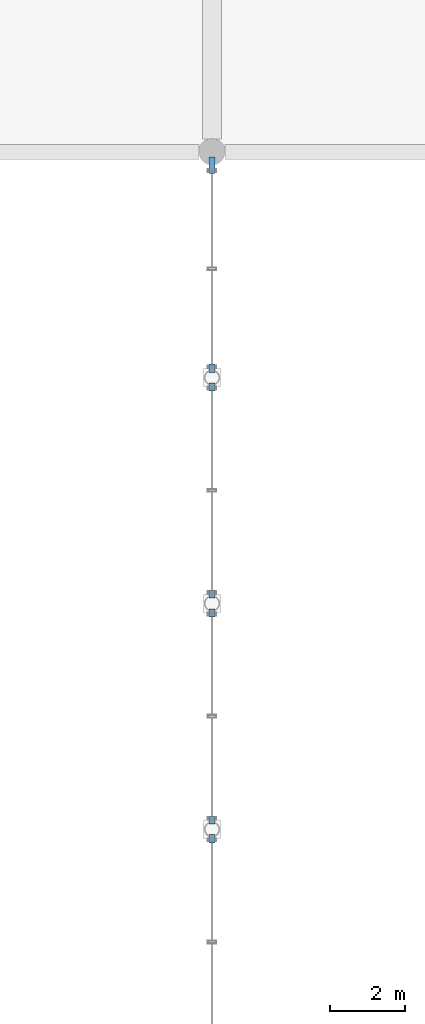
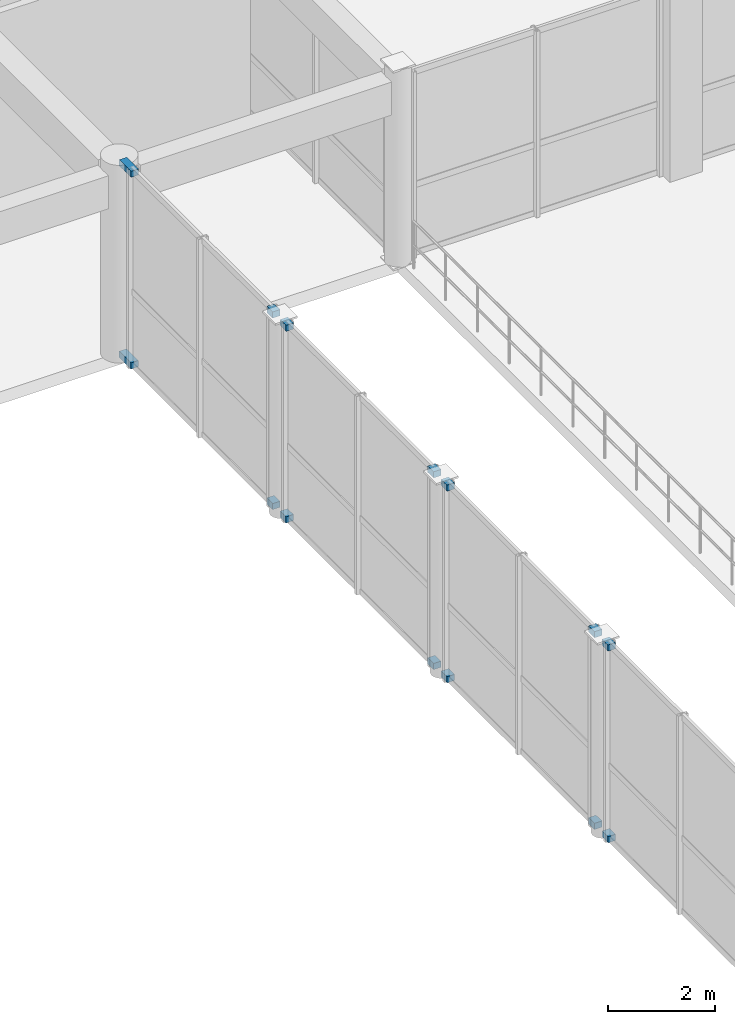
# One storey, part 104 of 116: 14 discrete accessories.
"""IFC4 building model written with IfcOpenShell, lengths in metres."""

import ifcopenshell
import ifcopenshell.guid

model = None  # the IFC model being written
_history = None  # IfcOwnerHistory: only IFC2X3 demands one
_inside = {}  # id of a spatial element -> (the spatial element, [elements in it])
_under = {}  # id of a project, library or spatial element -> (it, [spatial elements below it])
_declared = {}  # id of a project -> (the project, [libraries it declares])
_typed = {}  # id of a type object -> (the type object, [elements of that type])
_made_of = {}  # id of a material, layer set ... -> (it, [elements and type objects made of it])


def new_model(schema):
    """Start an empty IFC model of exactly this schema.

    Asked for "IFC4X3", IfcOpenShell would pick the latest addendum, in which some entities
    have other attributes; the version numbers below select the first issue.
    IFC2X3 requires an IfcOwnerHistory on every rooted entity: one is made here for all.
    """
    global model, _history
    if schema == "IFC4X3":
        model = ifcopenshell.file(schema_version=(4, 3, 0, 0))
    else:
        model = ifcopenshell.file(schema=schema)
    _inside.clear()
    _under.clear()
    _declared.clear()
    _typed.clear()
    _made_of.clear()
    _history = None
    if model.schema == "IFC2X3":
        org = make("IfcOrganization", Name="unknown")
        user = make(
            "IfcPersonAndOrganization",
            ThePerson=make("IfcPerson", FamilyName="unknown"),
            TheOrganization=org,
        )
        app = make(
            "IfcApplication",
            ApplicationDeveloper=org,
            Version="unknown",
            ApplicationFullName="unknown",
            ApplicationIdentifier="unknown",
        )
        _history = make(
            "IfcOwnerHistory",
            OwningUser=user,
            OwningApplication=app,
            ChangeAction="ADDED",
            CreationDate=0,
        )
    return model


def make(cls, **values):
    """One entity of the class cls with the attributes given. An attribute that is None is left unset."""
    return model.create_entity(
        cls, **{name: value for name, value in values.items() if value is not None}
    )


def rooted(cls, **values):
    """An entity with a GlobalId (a new one), such as an element, a storey or a relation."""
    return make(cls, GlobalId=ifcopenshell.guid.new(), OwnerHistory=_history, **values)


def si_unit(unit_type, name, prefix=None):
    """IfcSIUnit, for example si_unit("LENGTHUNIT", "METRE", prefix="MILLI")."""
    return make("IfcSIUnit", UnitType=unit_type, Prefix=prefix, Name=name)


def assignment(units):
    """IfcUnitAssignment: the units of a project."""
    return None if units is None else make("IfcUnitAssignment", Units=units)


def point(xyz):
    """IfcCartesianPoint."""
    return None if xyz is None else make("IfcCartesianPoint", Coordinates=xyz)


def direction(xyz):
    """IfcDirection."""
    return None if xyz is None else make("IfcDirection", DirectionRatios=xyz)


def frame(location, z_axis=None, x_axis=None):
    """IfcAxis2Placement3D, a coordinate frame: its origin and axes. An axis left out is left unset."""
    return make(
        "IfcAxis2Placement3D",
        Location=point(location),
        Axis=direction(z_axis),
        RefDirection=direction(x_axis),
    )


def frame_2d(location, x_axis=None):
    """IfcAxis2Placement2D, a coordinate frame in the plane: its origin and x axis."""
    return make(
        "IfcAxis2Placement2D", Location=point(location), RefDirection=direction(x_axis)
    )


def origin():
    """The frame at (0, 0, 0) with its axes left unset."""
    return frame((0.0, 0.0, 0.0))


def origin_2d():
    """The frame at (0, 0) in the plane with its x axis left unset."""
    return frame_2d((0.0, 0.0))


def place(relative_to, where):
    """IfcLocalPlacement: puts the frame where relative to a parent placement (None: the world)."""
    return make(
        "IfcLocalPlacement", PlacementRelTo=relative_to, RelativePlacement=where
    )


def context(
    kind, dimensions, precision=None, world=None, true_north=None, identifier=None
):
    """IfcGeometricRepresentationContext, for example the 3D "Model" context."""
    return make(
        "IfcGeometricRepresentationContext",
        ContextIdentifier=identifier,
        ContextType=kind,
        CoordinateSpaceDimension=dimensions,
        Precision=precision,
        WorldCoordinateSystem=world,
        TrueNorth=true_north,
    )


def subcontext(parent, identifier, kind, view, scale=None):
    """IfcGeometricRepresentationSubContext, for example "Body" below "Model"."""
    return make(
        "IfcGeometricRepresentationSubContext",
        ContextIdentifier=identifier,
        ContextType=kind,
        ParentContext=parent,
        TargetScale=scale,
        TargetView=view,
    )


def project(units=None, contexts=None):
    """IfcProject with its units and contexts."""
    return rooted(
        "IfcProject",
        Name="project",
        RepresentationContexts=contexts,
        UnitsInContext=assignment(units),
    )


def spatial(cls, under=None, at=None, **own):
    """A site, building, storey or space (cls), placed at a placement, below another one or the project."""
    s = rooted(cls, ObjectPlacement=at, **own)
    if under is not None:
        _under.setdefault(under.id(), (under, []))[1].append(s)
    return s


def profile(cls, at=None, kind="AREA", **sizes):
    """A parametric profile (cls). Its sizes go by their IFC names, for example OverallWidth=200.0."""
    return make(cls, ProfileType=kind, Position=at, **sizes)


def rectangle(**sizes):
    """IfcRectangleProfileDef."""
    return profile("IfcRectangleProfileDef", **sizes)


def extrude(swept, where, along, depth):
    """IfcExtrudedAreaSolid: the profile swept, set in the frame where, extruded along a direction by depth."""
    return make(
        "IfcExtrudedAreaSolid",
        SweptArea=swept,
        Position=where,
        ExtrudedDirection=direction(along),
        Depth=depth,
    )


def shape(context_of_items, identifier, shape_type, items):
    """IfcShapeRepresentation: the items that make up one representation, for example the "Body"."""
    return make(
        "IfcShapeRepresentation",
        ContextOfItems=context_of_items,
        RepresentationIdentifier=identifier,
        RepresentationType=shape_type,
        Items=items,
    )


def material(Name=None, Category=None):
    """IfcMaterial."""
    return make("IfcMaterial", Name=Name, Category=Category)


def made_of(thing, what):
    """Note that an element or type object is made of a material, layer set ...; save() writes the relation."""
    if what is not None:
        _made_of.setdefault(what.id(), (what, []))[1].append(thing)
    return thing


def type_object(cls, material=None, **own):
    """A type object (cls), such as IfcWallType, which elements share."""
    return made_of(rooted(cls, **own), material)


def element(
    cls,
    number,
    at=None,
    inside=None,
    cuts=None,
    type_object=None,
    material=None,
    context=None,
    identifier="Body",
    shape_type=None,
    held_by="IfcProductDefinitionShape",
    body=None,
    shapes=None,
    **own,
):
    """One element of the class cls, such as IfcWall. Its Tag is "e" and its number.

    at: its placement. inside: the storey or other place that contains it. cuts: it is an
    opening in that element (IfcRelVoidsElement). A single representation is given by context,
    identifier, shape_type and body (its items); several are given by shapes. held_by: the class
    of the entity that holds the representations. save() writes the other relations.
    """
    e = rooted(cls, Tag="e%d" % number, ObjectPlacement=at, **own)
    if body is not None:
        shapes = [shape(context, identifier, shape_type, body)]
    if shapes is not None:
        e.Representation = make(held_by, Representations=shapes)
    if inside is not None:
        _inside.setdefault(inside.id(), (inside, []))[1].append(e)
    if cuts is not None:
        rooted(
            "IfcRelVoidsElement", RelatingBuildingElement=cuts, RelatedOpeningElement=e
        )
    if type_object is not None:
        _typed.setdefault(type_object.id(), (type_object, []))[1].append(e)
    return made_of(e, material)


def aggregate(whole, parts):
    """IfcRelAggregates: a whole, such as a stair, and the parts it consists of."""
    return rooted("IfcRelAggregates", RelatingObject=whole, RelatedObjects=parts)


def save(model, path):
    """Write the relations noted so far, then the file.

    IfcRelAggregates (storeys below a building ...), IfcRelContainedInSpatialStructure (elements
    in a storey), IfcRelDefinesByType, IfcRelAssociatesMaterial and IfcRelDeclares: one each for
    every whole, place, type object, material and project.
    """
    for whole, parts in _under.values():
        aggregate(whole, parts)
    for where, things in _inside.values():
        rooted(
            "IfcRelContainedInSpatialStructure",
            RelatedElements=things,
            RelatingStructure=where,
        )
    for kind, things in _typed.values():
        rooted("IfcRelDefinesByType", RelatedObjects=things, RelatingType=kind)
    for what, things in _made_of.values():
        rooted("IfcRelAssociatesMaterial", RelatedObjects=things, RelatingMaterial=what)
    for by, libraries in _declared.values():
        rooted("IfcRelDeclares", RelatingContext=by, RelatedDefinitions=libraries)
    model.write(path)


model = new_model("IFC4")

# Units and contexts
model_context = context("Model", 3, precision=1e-05, world=origin(), true_north=direction((0.0, 1.0)))
body_context = subcontext(model_context, "Body", "Model", "MODEL_VIEW")
ifc_project = project(units=[si_unit("LENGTHUNIT", "METRE"), si_unit("AREAUNIT", "SQUARE_METRE"), si_unit("VOLUMEUNIT", "CUBIC_METRE"), si_unit("PLANEANGLEUNIT", "RADIAN"), si_unit("MASSUNIT", "GRAM", prefix="KILO"), si_unit("THERMODYNAMICTEMPERATUREUNIT", "KELVIN"), si_unit("POWERUNIT", "WATT")], contexts=[model_context])

# Site, building, storey
site_placement = place(None, origin())
site = spatial("IfcSite", under=ifc_project, at=site_placement, CompositionType="ELEMENT")
building_placement = place(site_placement, origin())
building = spatial("IfcBuilding", under=site, at=building_placement, Name="Phaisarnlok Congress Hotel", CompositionType="ELEMENT")
storey_placement = place(building_placement, frame((0.0, 0.0, 10.5)))
storey = spatial("IfcBuildingStorey", under=building, at=storey_placement, Name="L02", CompositionType="ELEMENT", Elevation=10.5)

# Discrete accessories
ifc_material = material(Name="Steel S355", Category="steel")
discrete_accessory_type = type_object("IfcDiscreteAccessoryType", Name="ACC-BRK-STL", PredefinedType="BRACKET", material=ifc_material)
for number, where, z_axis, x_axis, name in (
    (1, (120.0, 65.75, 0.0), (0.0, 0.0, 1.0), (1.0, 0.0, 0.0), "Curtain wall steel jamb spider bracket BK-01"),
    (2, (120.0, 65.75, 4.35986328125), (0.0, 0.0, 1.0), (1.0, 0.0, 0.0), "Curtain wall steel jamb spider bracket BK-01"),
    (3, (120.0, 66.25, 0.0), (0.0, 0.0, 1.0), (1.0, 0.0, 0.0), "Curtain wall steel jamb spider bracket BK-01"),
    (4, (120.0, 66.25, 4.35986328125), (0.0, 0.0, 1.0), (1.0, 0.0, 0.0), "Curtain wall steel jamb spider bracket BK-01"),
    (5, (120.0, 71.75, 0.0), (0.0, 0.0, 1.0), (1.0, 0.0, 0.0), "Curtain wall steel jamb spider bracket BK-01"),
    (6, (120.0, 71.75, 4.35986328125), (0.0, 0.0, 1.0), (1.0, 0.0, 0.0), "Curtain wall steel jamb spider bracket BK-01"),
    (7, (120.0, 72.25, 0.0), (0.0, 0.0, 1.0), (1.0, 0.0, 0.0), "Curtain wall steel jamb spider bracket BK-01"),
    (8, (120.0, 72.25, 4.35986328125), (0.0, 0.0, 1.0), (1.0, 0.0, 0.0), "Curtain wall steel jamb spider bracket BK-01"),
    (9, (120.0, 77.75, 0.0), (0.0, 0.0, 1.0), (1.0, 0.0, 0.0), "Curtain wall steel jamb spider bracket BK-01"),
    (10, (120.0, 77.75, 4.35986328125), (0.0, 0.0, 1.0), (1.0, 0.0, 0.0), "Curtain wall steel jamb spider bracket BK-01"),
    (11, (120.0, 78.25, 0.0), (0.0, 0.0, 1.0), (1.0, 0.0, 0.0), "Curtain wall steel jamb spider bracket BK-01"),
    (12, (120.0, 78.25, 4.35986328125), (0.0, 0.0, 1.0), (1.0, 0.0, 0.0), "Curtain wall steel jamb spider bracket BK-01"),
):
    element("IfcDiscreteAccessory", number, at=place(storey_placement, frame(where, z_axis=z_axis, x_axis=x_axis)), inside=storey, type_object=discrete_accessory_type, Name=name, PredefinedType="BRACKET", context=body_context, shape_type="SweptSolid", body=[
        extrude(rectangle(XDim=0.159912109375, YDim=0.219970703125, at=origin_2d()), origin(), (0.0, 0.0, 1.0), 0.139892578125),
    ])
for number, where, z_axis, x_axis, name in (
    (13, (120.0, 83.639892578125, 0.0), (0.0, 0.0, 1.0), (1.0, 0.0, 0.0), "Curtain wall steel jamb spider bracket BK-01"),
    (14, (120.0, 83.639892578125, 4.35986328125), (0.0, 0.0, 1.0), (1.0, 0.0, 0.0), "Curtain wall steel jamb spider bracket BK-01"),
):
    element("IfcDiscreteAccessory", number, at=place(storey_placement, frame(where, z_axis=z_axis, x_axis=x_axis)), inside=storey, type_object=discrete_accessory_type, Name=name, PredefinedType="BRACKET", context=body_context, shape_type="SweptSolid", body=[
        extrude(rectangle(XDim=0.159912109375, YDim=0.43994140625, at=origin_2d()), origin(), (0.0, 0.0, 1.0), 0.139892578125),
    ])

save(model, "model.ifc")
